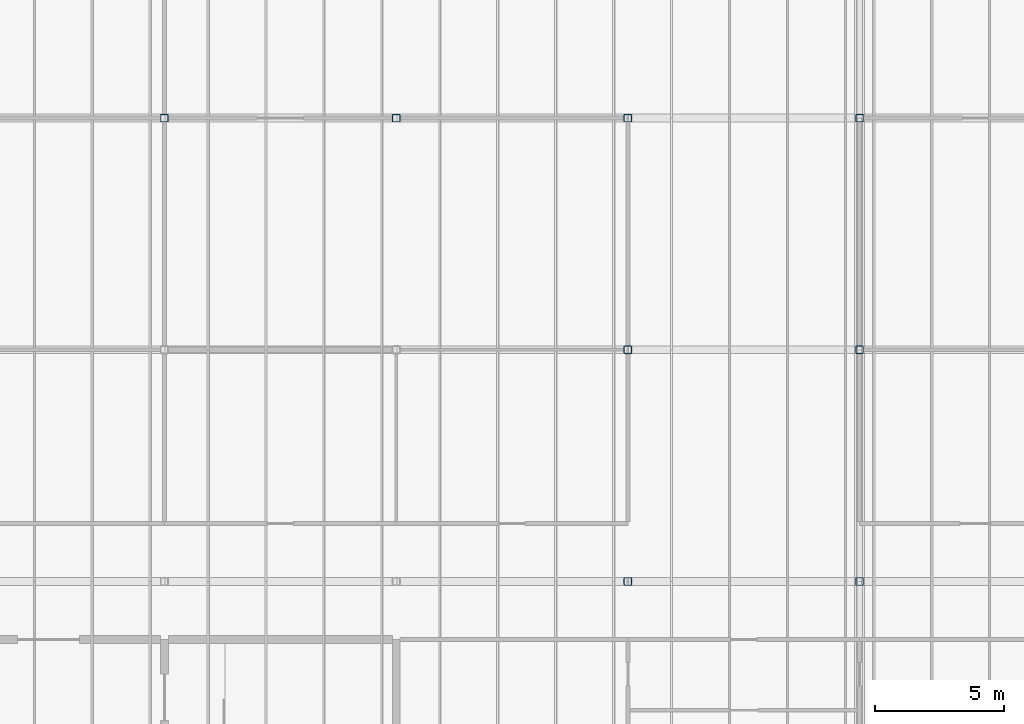
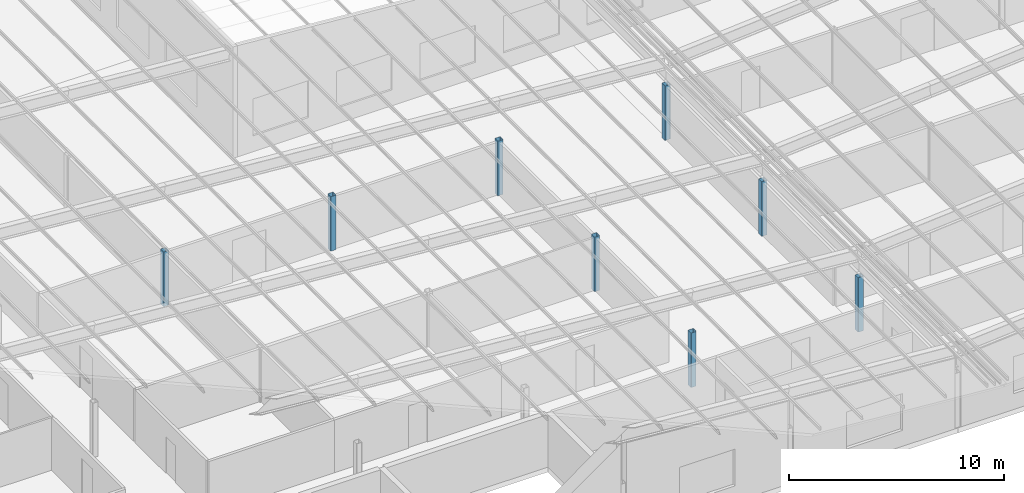
# One storey, part 11 of 85: 8 columns.
"""IFC4 building model written with IfcOpenShell, lengths in metres."""

from ifc_helpers import new_model, si_unit, direction, frame, origin, origin_2d, place, context, subcontext, project, spatial, hollow_rectangle, extrude, material, material_profile, profile_set, type_object, element, save


model = new_model("IFC4")

# Units and contexts
model_context = context("Model", 3, precision=1e-05, world=origin(), true_north=direction((0.0, 1.0)))
body_context = subcontext(model_context, "Body", "Model", "MODEL_VIEW")
ifc_project = project(units=[si_unit("LENGTHUNIT", "METRE"), si_unit("AREAUNIT", "SQUARE_METRE"), si_unit("VOLUMEUNIT", "CUBIC_METRE"), si_unit("PLANEANGLEUNIT", "RADIAN"), si_unit("MASSUNIT", "GRAM", prefix="KILO")], contexts=[model_context])

# Site, building, storey
site_placement = place(None, origin())
site = spatial("IfcSite", under=ifc_project, at=site_placement, CompositionType="ELEMENT")
building_placement = place(site_placement, origin())
building = spatial("IfcBuilding", under=site, at=building_placement, Name="Opaline Strait Convention Centre", CompositionType="ELEMENT")
storey_placement = place(building_placement, frame((0.0, 0.0, 17.0)))
storey = spatial("IfcBuildingStorey", under=building, at=storey_placement, Name="L03", CompositionType="ELEMENT", Elevation=17.0)

# Columns
ifc_material = material(Name="Steel Q355B", Category="steel")
ifc_material_profile = material_profile(ifc_material, hollow_rectangle(XDim=0.300048828125, YDim=0.300048828125, WallThickness=0.011962890625, InnerFilletRadius=0.02392578125, OuterFilletRadius=0.035888671875, at=origin_2d()), Name="RHS 300x300x12")
ifc_profile_set = profile_set([ifc_material_profile], Name="Steel Q355B")
column_type = type_object("IfcColumnType", Name="Roof post RHS 300x300x12", PredefinedType="COLUMN", material=ifc_profile_set)
for number, where, z_axis, x_axis, name in (
    (1, (297.0, 117.0, 0.0), (0.0, 0.0, 1.0), (1.0, 0.0, 0.0), "MRS1 roof post at 34/P"),
    (2, (306.0, 117.0, 0.0), (0.0, 0.0, 1.0), (1.0, 0.0, 0.0), "MRS1 roof post at 35/P"),
    (3, (315.0, 99.0, 0.0), (0.0, 0.0, 1.0), (1.0, 0.0, 0.0), "MRS1 roof post at 36/M"),
    (4, (315.0, 108.0, 0.0), (0.0, 0.0, 1.0), (1.0, 0.0, 0.0), "MRS1 roof post at 36/N"),
    (5, (315.0, 117.0, 0.0), (0.0, 0.0, 1.0), (1.0, 0.0, 0.0), "MRS1 roof post at 36/P"),
    (6, (324.0, 99.0, 0.0), (0.0, 0.0, 1.0), (1.0, 0.0, 0.0), "MRS1 roof post at 37/M"),
    (7, (324.0, 108.0, 0.0), (0.0, 0.0, 1.0), (1.0, 0.0, 0.0), "MRS1 roof post at 37/N"),
    (8, (324.0, 117.0, 0.0), (0.0, 0.0, 1.0), (1.0, 0.0, 0.0), "MRS1 roof post at 37/P"),
):
    element("IfcColumn", number, at=place(storey_placement, frame(where, z_axis=z_axis, x_axis=x_axis)), inside=storey, type_object=column_type, Name=name, PredefinedType="COLUMN", context=body_context, shape_type="SweptSolid", body=[
        extrude(hollow_rectangle(XDim=0.300048828125, YDim=0.300048828125, WallThickness=0.011962890625, InnerFilletRadius=0.02392578125, OuterFilletRadius=0.035888671875, at=origin_2d()), origin(), (0.0, 0.0, 1.0), 3.10009765625),
    ])

save(model, "model.ifc")
